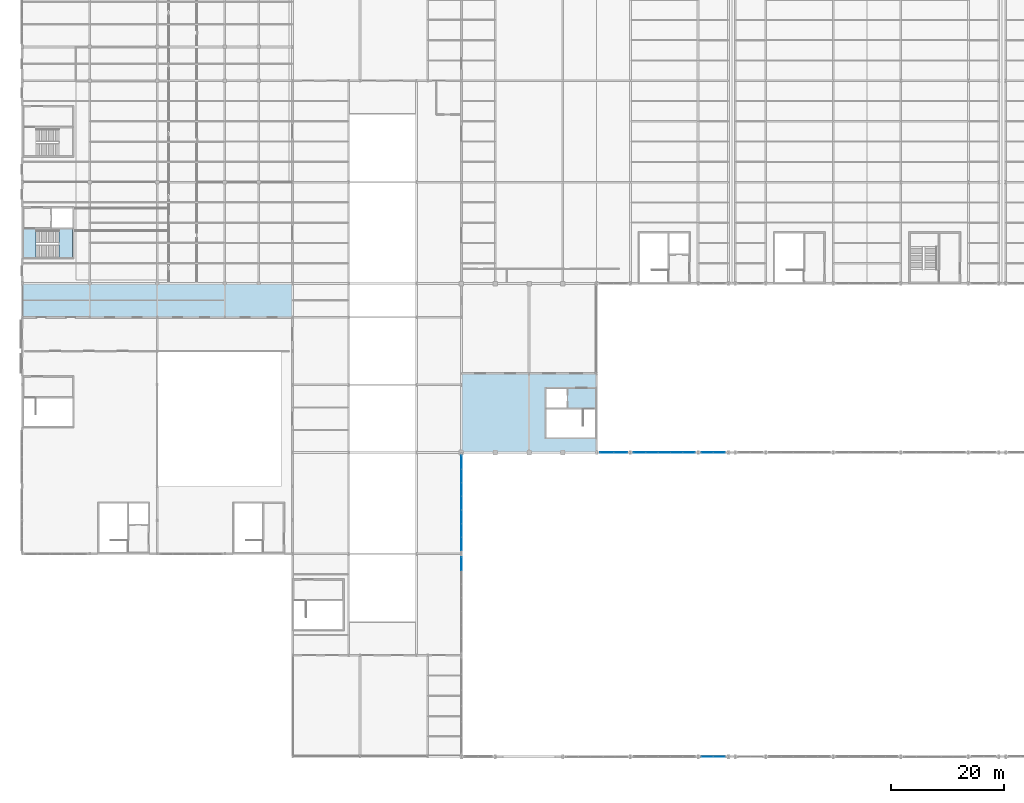
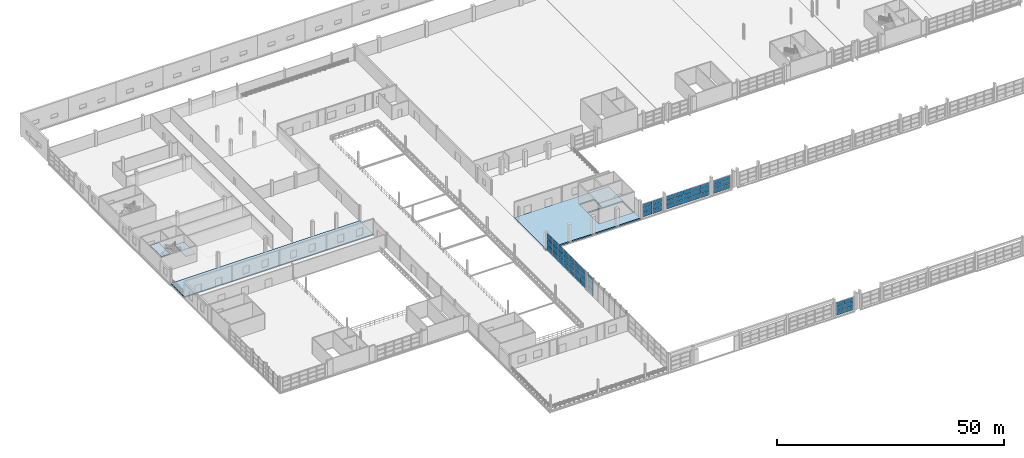
# One storey, part 121 of 147: 57 plates, 4 slabs, 7 elements without a shape of their own.
"""IFC4 building model written with IfcOpenShell, lengths in metres."""

from ifc_helpers import new_model, si_unit, direction, frame, origin, origin_2d, place, context, subcontext, project, spatial, polyline, rectangle, outline, extrude, material, layer, layer_set, type_object, element, aggregate, save


model = new_model("IFC4")

# Units and contexts
model_context = context("Model", 3, precision=1e-05, world=origin(), true_north=direction((0.0, 1.0)))
body_context = subcontext(model_context, "Body", "Model", "MODEL_VIEW")
ifc_project = project(units=[si_unit("LENGTHUNIT", "METRE"), si_unit("AREAUNIT", "SQUARE_METRE"), si_unit("VOLUMEUNIT", "CUBIC_METRE"), si_unit("PLANEANGLEUNIT", "RADIAN"), si_unit("MASSUNIT", "GRAM", prefix="KILO")], contexts=[model_context])

# Site, building, storey
site_placement = place(None, origin())
site = spatial("IfcSite", under=ifc_project, at=site_placement, CompositionType="ELEMENT")
building_placement = place(site_placement, origin())
building = spatial("IfcBuilding", under=site, at=building_placement, Name="Zilviju Railside Exhibition Hall", CompositionType="ELEMENT")
storey_placement = place(building_placement, frame((0.0, 0.0, 8.39990234375)))
storey = spatial("IfcBuildingStorey", under=building, at=storey_placement, Name="L03", CompositionType="ELEMENT", Elevation=8.39990234375)

# Curtain wall, plates
ifc_material_1 = material(Name="Thermally broken aluminium-steel triple-glazed curtain wall", Category="steel")
ifc_layer_1 = layer(ifc_material_1, 0.179931640625)
ifc_layer_set_1 = layer_set([ifc_layer_1], Name="Thermally broken aluminium-steel triple-glazed curtain wall")
curtain_wall_type_1 = type_object("IfcCurtainWallType", Name="CW-BAY-05", PredefinedType="USERDEFINED", material=ifc_layer_set_1)
curtain_wall_1_placement = place(storey_placement, origin())
curtain_wall_1 = element("IfcCurtainWall", 1, at=curtain_wall_1_placement, inside=storey, type_object=curtain_wall_type_1, Name="South Hall Garden Court Curtain Wall L03 (108..120)", ObjectType="GLAZED CURTAIN WALL", PredefinedType="USERDEFINED")
ifc_material_2 = material(Name="Laminated acoustic double-glazed porch unit", Category="glass")
ifc_layer_2 = layer(ifc_material_2, 0.031982421875)
ifc_layer_set_2 = layer_set([ifc_layer_2], Name="Laminated acoustic double-glazed porch unit")
plate_type_1 = type_object("IfcPlateType", Name="CWP-IGU-32", PredefinedType="CURTAIN_PANEL", material=ifc_layer_set_2)
plate_1_placement = place(storey_placement, frame((109.655029296875, 54.0, 0.06005859375), z_axis=(0.0, 0.0, 1.0), x_axis=(1.0, 0.0, 0.0)))
plate_1 = element("IfcPlate", 2, at=plate_1_placement, type_object=plate_type_1, Name="CW-05 panel 1.1", PredefinedType="CURTAIN_PANEL", context=body_context, shape_type="SweptSolid", body=[
    extrude(rectangle(XDim=2.090087890625, YDim=0.031982421875, at=origin_2d()), origin(), (0.0, 0.0, 1.0), 1.096923828125),
])
plate_2_placement = place(storey_placement, frame((109.655029296875, 54.0, 1.217041015625), z_axis=(0.0, 0.0, 1.0), x_axis=(1.0, 0.0, 0.0)))
plate_2 = element("IfcPlate", 3, at=plate_2_placement, type_object=plate_type_1, Name="CW-05 panel 1.2", PredefinedType="CURTAIN_PANEL", context=body_context, shape_type="SweptSolid", body=[
    extrude(rectangle(XDim=2.090087890625, YDim=0.031982421875, at=origin_2d()), origin(), (0.0, 0.0, 1.0), 1.1259765625),
])
plate_3_placement = place(storey_placement, frame((109.655029296875, 54.0, 2.4033203125), z_axis=(0.0, 0.0, 1.0), x_axis=(1.0, 0.0, 0.0)))
plate_3 = element("IfcPlate", 4, at=plate_3_placement, type_object=plate_type_1, Name="CW-05 panel 1.3", PredefinedType="CURTAIN_PANEL", context=body_context, shape_type="SweptSolid", body=[
    extrude(rectangle(XDim=2.090087890625, YDim=0.031982421875, at=origin_2d()), origin(), (0.0, 0.0, 1.0), 1.096923828125),
])
plate_4_placement = place(storey_placement, frame((111.820068359375, 54.0, 0.06005859375), z_axis=(0.0, 0.0, 1.0), x_axis=(1.0, 0.0, 0.0)))
plate_4 = element("IfcPlate", 5, at=plate_4_placement, type_object=plate_type_1, Name="CW-05 panel 2.1", PredefinedType="CURTAIN_PANEL", context=body_context, shape_type="SweptSolid", body=[
    extrude(rectangle(XDim=2.1201171875, YDim=0.031982421875, at=origin_2d()), origin(), (0.0, 0.0, 1.0), 1.096923828125),
])
plate_5_placement = place(storey_placement, frame((111.820068359375, 54.0, 1.217041015625), z_axis=(0.0, 0.0, 1.0), x_axis=(1.0, 0.0, 0.0)))
plate_5 = element("IfcPlate", 6, at=plate_5_placement, type_object=plate_type_1, Name="CW-05 panel 2.2", PredefinedType="CURTAIN_PANEL", context=body_context, shape_type="SweptSolid", body=[
    extrude(rectangle(XDim=2.1201171875, YDim=0.031982421875, at=origin_2d()), origin(), (0.0, 0.0, 1.0), 1.1259765625),
])
plate_6_placement = place(storey_placement, frame((111.820068359375, 54.0, 2.4033203125), z_axis=(0.0, 0.0, 1.0), x_axis=(1.0, 0.0, 0.0)))
plate_6 = element("IfcPlate", 7, at=plate_6_placement, type_object=plate_type_1, Name="CW-05 panel 2.3", PredefinedType="CURTAIN_PANEL", context=body_context, shape_type="SweptSolid", body=[
    extrude(rectangle(XDim=2.1201171875, YDim=0.031982421875, at=origin_2d()), origin(), (0.0, 0.0, 1.0), 1.096923828125),
])
plate_7_placement = place(storey_placement, frame((114.0, 54.0, 0.06005859375), z_axis=(0.0, 0.0, 1.0), x_axis=(1.0, 0.0, 0.0)))
plate_7 = element("IfcPlate", 8, at=plate_7_placement, type_object=plate_type_1, Name="CW-05 panel 3.1", PredefinedType="CURTAIN_PANEL", context=body_context, shape_type="SweptSolid", body=[
    extrude(rectangle(XDim=2.1201171875, YDim=0.031982421875, at=origin_2d()), origin(), (0.0, 0.0, 1.0), 1.096923828125),
])
plate_8_placement = place(storey_placement, frame((114.0, 54.0, 1.217041015625), z_axis=(0.0, 0.0, 1.0), x_axis=(1.0, 0.0, 0.0)))
plate_8 = element("IfcPlate", 9, at=plate_8_placement, type_object=plate_type_1, Name="CW-05 panel 3.2", PredefinedType="CURTAIN_PANEL", context=body_context, shape_type="SweptSolid", body=[
    extrude(rectangle(XDim=2.1201171875, YDim=0.031982421875, at=origin_2d()), origin(), (0.0, 0.0, 1.0), 1.1259765625),
])
plate_9_placement = place(storey_placement, frame((114.0, 54.0, 2.4033203125), z_axis=(0.0, 0.0, 1.0), x_axis=(1.0, 0.0, 0.0)))
plate_9 = element("IfcPlate", 10, at=plate_9_placement, type_object=plate_type_1, Name="CW-05 panel 3.3", PredefinedType="CURTAIN_PANEL", context=body_context, shape_type="SweptSolid", body=[
    extrude(rectangle(XDim=2.1201171875, YDim=0.031982421875, at=origin_2d()), origin(), (0.0, 0.0, 1.0), 1.096923828125),
])
plate_10_placement = place(storey_placement, frame((116.179931640625, 54.0, 0.06005859375), z_axis=(0.0, 0.0, 1.0), x_axis=(1.0, 0.0, 0.0)))
plate_10 = element("IfcPlate", 11, at=plate_10_placement, type_object=plate_type_1, Name="CW-05 panel 4.1", PredefinedType="CURTAIN_PANEL", context=body_context, shape_type="SweptSolid", body=[
    extrude(rectangle(XDim=2.1201171875, YDim=0.031982421875, at=origin_2d()), origin(), (0.0, 0.0, 1.0), 1.096923828125),
])
plate_11_placement = place(storey_placement, frame((116.179931640625, 54.0, 1.217041015625), z_axis=(0.0, 0.0, 1.0), x_axis=(1.0, 0.0, 0.0)))
plate_11 = element("IfcPlate", 12, at=plate_11_placement, type_object=plate_type_1, Name="CW-05 panel 4.2", PredefinedType="CURTAIN_PANEL", context=body_context, shape_type="SweptSolid", body=[
    extrude(rectangle(XDim=2.1201171875, YDim=0.031982421875, at=origin_2d()), origin(), (0.0, 0.0, 1.0), 1.1259765625),
])
plate_12_placement = place(storey_placement, frame((116.179931640625, 54.0, 2.4033203125), z_axis=(0.0, 0.0, 1.0), x_axis=(1.0, 0.0, 0.0)))
plate_12 = element("IfcPlate", 13, at=plate_12_placement, type_object=plate_type_1, Name="CW-05 panel 4.3", PredefinedType="CURTAIN_PANEL", context=body_context, shape_type="SweptSolid", body=[
    extrude(rectangle(XDim=2.1201171875, YDim=0.031982421875, at=origin_2d()), origin(), (0.0, 0.0, 1.0), 1.096923828125),
])
plate_13_placement = place(storey_placement, frame((118.344970703125, 54.0, 0.06005859375), z_axis=(0.0, 0.0, 1.0), x_axis=(1.0, 0.0, 0.0)))
plate_13 = element("IfcPlate", 14, at=plate_13_placement, type_object=plate_type_1, Name="CW-05 panel 5.1", PredefinedType="CURTAIN_PANEL", context=body_context, shape_type="SweptSolid", body=[
    extrude(rectangle(XDim=2.090087890625, YDim=0.031982421875, at=origin_2d()), origin(), (0.0, 0.0, 1.0), 1.096923828125),
])
plate_14_placement = place(storey_placement, frame((118.344970703125, 54.0, 1.217041015625), z_axis=(0.0, 0.0, 1.0), x_axis=(1.0, 0.0, 0.0)))
plate_14 = element("IfcPlate", 15, at=plate_14_placement, type_object=plate_type_1, Name="CW-05 panel 5.2", PredefinedType="CURTAIN_PANEL", context=body_context, shape_type="SweptSolid", body=[
    extrude(rectangle(XDim=2.090087890625, YDim=0.031982421875, at=origin_2d()), origin(), (0.0, 0.0, 1.0), 1.1259765625),
])
plate_15_placement = place(storey_placement, frame((118.344970703125, 54.0, 2.4033203125), z_axis=(0.0, 0.0, 1.0), x_axis=(1.0, 0.0, 0.0)))
plate_15 = element("IfcPlate", 16, at=plate_15_placement, type_object=plate_type_1, Name="CW-05 panel 5.3", PredefinedType="CURTAIN_PANEL", context=body_context, shape_type="SweptSolid", body=[
    extrude(rectangle(XDim=2.090087890625, YDim=0.031982421875, at=origin_2d()), origin(), (0.0, 0.0, 1.0), 1.096923828125),
])
aggregate(curtain_wall_1, [plate_1, plate_2, plate_3, plate_4, plate_5, plate_6, plate_7, plate_8, plate_9, plate_10, plate_11, plate_12, plate_13, plate_14, plate_15])

ifc_layer_3 = layer(ifc_material_1, 0.179931640625)
ifc_layer_set_3 = layer_set([ifc_layer_3], Name="Thermally broken aluminium-steel triple-glazed curtain wall")
curtain_wall_type_2 = type_object("IfcCurtainWallType", Name="CW-BAY-04", PredefinedType="USERDEFINED", material=ifc_layer_set_3)
curtain_wall_2_placement = place(storey_placement, origin())
curtain_wall_2 = element("IfcCurtainWall", 17, at=curtain_wall_2_placement, inside=storey, type_object=curtain_wall_type_2, Name="South Hall Garden Court Curtain Wall L03 (102..108)", ObjectType="GLAZED CURTAIN WALL", PredefinedType="USERDEFINED")
ifc_material_3 = material(Name="Triple-glazed solar-control glass unit", Category="glass")
ifc_layer_4 = layer(ifc_material_3, 0.0380859375)
ifc_layer_set_4 = layer_set([ifc_layer_4], Name="Triple-glazed solar-control glass unit")
plate_type_2 = type_object("IfcPlateType", Name="CWP-IGU-38", PredefinedType="CURTAIN_PANEL", material=ifc_layer_set_4)
plate_16_placement = place(storey_placement, frame((103.791259765625, 54.0, 0.06494140625), z_axis=(0.0, 0.0, 1.0), x_axis=(1.0, 0.0, 0.0)))
plate_16 = element("IfcPlate", 18, at=plate_16_placement, type_object=plate_type_2, Name="CW-04 panel 1.1", PredefinedType="CURTAIN_PANEL", context=body_context, shape_type="SweptSolid", body=[
    extrude(rectangle(XDim=2.3525390625, YDim=0.0380859375, at=origin_2d()), origin(), (0.0, 0.0, 1.0), 1.089599609375),
])
plate_17_placement = place(storey_placement, frame((103.791259765625, 54.0, 1.219482421875), z_axis=(0.0, 0.0, 1.0), x_axis=(1.0, 0.0, 0.0)))
plate_17 = element("IfcPlate", 19, at=plate_17_placement, type_object=plate_type_2, Name="CW-04 panel 1.2", PredefinedType="CURTAIN_PANEL", context=body_context, shape_type="SweptSolid", body=[
    extrude(rectangle(XDim=2.3525390625, YDim=0.0380859375, at=origin_2d()), origin(), (0.0, 0.0, 1.0), 1.12109375),
])
plate_18_placement = place(storey_placement, frame((103.791259765625, 54.0, 2.40576171875), z_axis=(0.0, 0.0, 1.0), x_axis=(1.0, 0.0, 0.0)))
plate_18 = element("IfcPlate", 20, at=plate_18_placement, type_object=plate_type_2, Name="CW-04 panel 1.3", PredefinedType="CURTAIN_PANEL", context=body_context, shape_type="SweptSolid", body=[
    extrude(rectangle(XDim=2.3525390625, YDim=0.0380859375, at=origin_2d()), origin(), (0.0, 0.0, 1.0), 1.089599609375),
])
plate_19_placement = place(storey_placement, frame((106.208740234375, 54.0, 0.06494140625), z_axis=(0.0, 0.0, 1.0), x_axis=(1.0, 0.0, 0.0)))
plate_19 = element("IfcPlate", 21, at=plate_19_placement, type_object=plate_type_2, Name="CW-04 panel 2.1", PredefinedType="CURTAIN_PANEL", context=body_context, shape_type="SweptSolid", body=[
    extrude(rectangle(XDim=2.3525390625, YDim=0.0380859375, at=origin_2d()), origin(), (0.0, 0.0, 1.0), 1.089599609375),
])
plate_20_placement = place(storey_placement, frame((106.208740234375, 54.0, 1.219482421875), z_axis=(0.0, 0.0, 1.0), x_axis=(1.0, 0.0, 0.0)))
plate_20 = element("IfcPlate", 22, at=plate_20_placement, type_object=plate_type_2, Name="CW-04 panel 2.2", PredefinedType="CURTAIN_PANEL", context=body_context, shape_type="SweptSolid", body=[
    extrude(rectangle(XDim=2.3525390625, YDim=0.0380859375, at=origin_2d()), origin(), (0.0, 0.0, 1.0), 1.12109375),
])
plate_21_placement = place(storey_placement, frame((106.208740234375, 54.0, 2.40576171875), z_axis=(0.0, 0.0, 1.0), x_axis=(1.0, 0.0, 0.0)))
plate_21 = element("IfcPlate", 23, at=plate_21_placement, type_object=plate_type_2, Name="CW-04 panel 2.3", PredefinedType="CURTAIN_PANEL", context=body_context, shape_type="SweptSolid", body=[
    extrude(rectangle(XDim=2.3525390625, YDim=0.0380859375, at=origin_2d()), origin(), (0.0, 0.0, 1.0), 1.089599609375),
])
aggregate(curtain_wall_2, [plate_16, plate_17, plate_18, plate_19, plate_20, plate_21])

ifc_layer_5 = layer(ifc_material_1, 0.179931640625)
ifc_layer_set_5 = layer_set([ifc_layer_5], Name="Thermally broken aluminium-steel triple-glazed curtain wall")
curtain_wall_type_3 = type_object("IfcCurtainWallType", Name="CW-BAY-20", PredefinedType="USERDEFINED", material=ifc_layer_set_5)
curtain_wall_3_placement = place(storey_placement, origin())
curtain_wall_3 = element("IfcCurtainWall", 24, at=curtain_wall_3_placement, inside=storey, type_object=curtain_wall_type_3, Name="South Hall West Upper Glazed Gable (18..36)", ObjectType="GLAZED CURTAIN WALL", PredefinedType="USERDEFINED")
ifc_material_4 = material(Name="Triple-glazed low-E argon insulating glass unit", Category="glass")
ifc_layer_6 = layer(ifc_material_4, 0.0439453125)
ifc_layer_set_6 = layer_set([ifc_layer_6], Name="Triple-glazed low-E argon insulating glass unit")
plate_type_3 = type_object("IfcPlateType", Name="CWP-IGU-44", PredefinedType="CURTAIN_PANEL", material=ifc_layer_set_6)
plate_22_placement = place(storey_placement, frame((78.0, 34.22900390625, 0.05517578125), z_axis=(0.0, 0.0, 1.0), x_axis=(0.0, 1.0, 0.0)))
plate_22 = element("IfcPlate", 25, at=plate_22_placement, type_object=plate_type_3, Name="CW-20 panel 7.1", PredefinedType="CURTAIN_PANEL", context=body_context, shape_type="SweptSolid", body=[
    extrude(rectangle(XDim=2.331787109375, YDim=0.0439453125, at=origin_2d()), origin(), (0.0, 0.0, 1.0), 1.517578125),
])
plate_23_placement = place(storey_placement, frame((78.0, 34.22900390625, 1.627685546875), z_axis=(0.0, 0.0, 1.0), x_axis=(0.0, 1.0, 0.0)))
plate_23 = element("IfcPlate", 26, at=plate_23_placement, type_object=plate_type_3, Name="CW-20 panel 7.2", PredefinedType="CURTAIN_PANEL", context=body_context, shape_type="SweptSolid", body=[
    extrude(rectangle(XDim=2.331787109375, YDim=0.0439453125, at=origin_2d()), origin(), (0.0, 0.0, 1.0), 1.544921875),
])
plate_24_placement = place(storey_placement, frame((78.0, 34.22900390625, 3.2275390625), z_axis=(0.0, 0.0, 1.0), x_axis=(0.0, 1.0, 0.0)))
plate_24 = element("IfcPlate", 27, at=plate_24_placement, type_object=plate_type_3, Name="CW-20 panel 7.3", PredefinedType="CURTAIN_PANEL", context=body_context, shape_type="SweptSolid", body=[
    extrude(rectangle(XDim=2.331787109375, YDim=0.0439453125, at=origin_2d()), origin(), (0.0, 0.0, 1.0), 1.517578125),
])
aggregate(curtain_wall_3, [plate_22, plate_23, plate_24])

ifc_layer_7 = layer(ifc_material_1, 0.179931640625)
ifc_layer_set_7 = layer_set([ifc_layer_7], Name="Thermally broken aluminium-steel triple-glazed curtain wall")
curtain_wall_type_4 = type_object("IfcCurtainWallType", Name="CW-BAY-01", PredefinedType="USERDEFINED", material=ifc_layer_set_7)
curtain_wall_4_placement = place(storey_placement, origin())
curtain_wall_4 = element("IfcCurtainWall", 28, at=curtain_wall_4_placement, inside=storey, type_object=curtain_wall_type_4, Name="South Hall West Upper Glazed Gable (36..54)", ObjectType="GLAZED CURTAIN WALL", PredefinedType="USERDEFINED")
plate_25_placement = place(storey_placement, frame((78.0, 37.774658203125, 0.070068359375), z_axis=(0.0, 0.0, 1.0), x_axis=(0.0, 1.0, 0.0)))
plate_25 = element("IfcPlate", 29, at=plate_25_placement, type_object=plate_type_3, Name="CW-01 panel 1.1", PredefinedType="CURTAIN_PANEL", context=body_context, shape_type="SweptSolid", body=[
    extrude(rectangle(XDim=2.309326171875, YDim=0.0439453125, at=origin_2d()), origin(), (0.0, 0.0, 1.0), 1.4951171875),
])
plate_26_placement = place(storey_placement, frame((78.0, 37.774658203125, 1.63525390625), z_axis=(0.0, 0.0, 1.0), x_axis=(0.0, 1.0, 0.0)))
plate_26 = element("IfcPlate", 30, at=plate_26_placement, type_object=plate_type_3, Name="CW-01 panel 1.2", PredefinedType="CURTAIN_PANEL", context=body_context, shape_type="SweptSolid", body=[
    extrude(rectangle(XDim=2.309326171875, YDim=0.0439453125, at=origin_2d()), origin(), (0.0, 0.0, 1.0), 1.530029296875),
])
plate_27_placement = place(storey_placement, frame((78.0, 37.774658203125, 3.235107421875), z_axis=(0.0, 0.0, 1.0), x_axis=(0.0, 1.0, 0.0)))
plate_27 = element("IfcPlate", 31, at=plate_27_placement, type_object=plate_type_3, Name="CW-01 panel 1.3", PredefinedType="CURTAIN_PANEL", context=body_context, shape_type="SweptSolid", body=[
    extrude(rectangle(XDim=2.309326171875, YDim=0.0439453125, at=origin_2d()), origin(), (0.0, 0.0, 1.0), 1.4951171875),
])
plate_28_placement = place(storey_placement, frame((78.0, 40.17138671875, 0.070068359375), z_axis=(0.0, 0.0, 1.0), x_axis=(0.0, 1.0, 0.0)))
plate_28 = element("IfcPlate", 32, at=plate_28_placement, type_object=plate_type_3, Name="CW-01 panel 2.1", PredefinedType="CURTAIN_PANEL", context=body_context, shape_type="SweptSolid", body=[
    extrude(rectangle(XDim=2.34423828125, YDim=0.0439453125, at=origin_2d()), origin(), (0.0, 0.0, 1.0), 1.4951171875),
])
plate_29_placement = place(storey_placement, frame((78.0, 40.17138671875, 1.63525390625), z_axis=(0.0, 0.0, 1.0), x_axis=(0.0, 1.0, 0.0)))
plate_29 = element("IfcPlate", 33, at=plate_29_placement, type_object=plate_type_3, Name="CW-01 panel 2.2", PredefinedType="CURTAIN_PANEL", context=body_context, shape_type="SweptSolid", body=[
    extrude(rectangle(XDim=2.34423828125, YDim=0.0439453125, at=origin_2d()), origin(), (0.0, 0.0, 1.0), 1.530029296875),
])
plate_30_placement = place(storey_placement, frame((78.0, 40.17138671875, 3.235107421875), z_axis=(0.0, 0.0, 1.0), x_axis=(0.0, 1.0, 0.0)))
plate_30 = element("IfcPlate", 34, at=plate_30_placement, type_object=plate_type_3, Name="CW-01 panel 2.3", PredefinedType="CURTAIN_PANEL", context=body_context, shape_type="SweptSolid", body=[
    extrude(rectangle(XDim=2.34423828125, YDim=0.0439453125, at=origin_2d()), origin(), (0.0, 0.0, 1.0), 1.4951171875),
])
plate_31_placement = place(storey_placement, frame((78.0, 42.585693359375, 0.070068359375), z_axis=(0.0, 0.0, 1.0), x_axis=(0.0, 1.0, 0.0)))
plate_31 = element("IfcPlate", 35, at=plate_31_placement, type_object=plate_type_3, Name="CW-01 panel 3.1", PredefinedType="CURTAIN_PANEL", context=body_context, shape_type="SweptSolid", body=[
    extrude(rectangle(XDim=2.34423828125, YDim=0.0439453125, at=origin_2d()), origin(), (0.0, 0.0, 1.0), 1.4951171875),
])
plate_32_placement = place(storey_placement, frame((78.0, 42.585693359375, 1.63525390625), z_axis=(0.0, 0.0, 1.0), x_axis=(0.0, 1.0, 0.0)))
plate_32 = element("IfcPlate", 36, at=plate_32_placement, type_object=plate_type_3, Name="CW-01 panel 3.2", PredefinedType="CURTAIN_PANEL", context=body_context, shape_type="SweptSolid", body=[
    extrude(rectangle(XDim=2.34423828125, YDim=0.0439453125, at=origin_2d()), origin(), (0.0, 0.0, 1.0), 1.530029296875),
])
plate_33_placement = place(storey_placement, frame((78.0, 42.585693359375, 3.235107421875), z_axis=(0.0, 0.0, 1.0), x_axis=(0.0, 1.0, 0.0)))
plate_33 = element("IfcPlate", 37, at=plate_33_placement, type_object=plate_type_3, Name="CW-01 panel 3.3", PredefinedType="CURTAIN_PANEL", context=body_context, shape_type="SweptSolid", body=[
    extrude(rectangle(XDim=2.34423828125, YDim=0.0439453125, at=origin_2d()), origin(), (0.0, 0.0, 1.0), 1.4951171875),
])
plate_34_placement = place(storey_placement, frame((78.0, 45.0, 0.070068359375), z_axis=(0.0, 0.0, 1.0), x_axis=(0.0, 1.0, 0.0)))
plate_34 = element("IfcPlate", 38, at=plate_34_placement, type_object=plate_type_3, Name="CW-01 panel 4.1", PredefinedType="CURTAIN_PANEL", context=body_context, shape_type="SweptSolid", body=[
    extrude(rectangle(XDim=2.34423828125, YDim=0.0439453125, at=origin_2d()), origin(), (0.0, 0.0, 1.0), 1.4951171875),
])
plate_35_placement = place(storey_placement, frame((78.0, 45.0, 1.63525390625), z_axis=(0.0, 0.0, 1.0), x_axis=(0.0, 1.0, 0.0)))
plate_35 = element("IfcPlate", 39, at=plate_35_placement, type_object=plate_type_3, Name="CW-01 panel 4.2", PredefinedType="CURTAIN_PANEL", context=body_context, shape_type="SweptSolid", body=[
    extrude(rectangle(XDim=2.34423828125, YDim=0.0439453125, at=origin_2d()), origin(), (0.0, 0.0, 1.0), 1.530029296875),
])
plate_36_placement = place(storey_placement, frame((78.0, 45.0, 3.235107421875), z_axis=(0.0, 0.0, 1.0), x_axis=(0.0, 1.0, 0.0)))
plate_36 = element("IfcPlate", 40, at=plate_36_placement, type_object=plate_type_3, Name="CW-01 panel 4.3", PredefinedType="CURTAIN_PANEL", context=body_context, shape_type="SweptSolid", body=[
    extrude(rectangle(XDim=2.34423828125, YDim=0.0439453125, at=origin_2d()), origin(), (0.0, 0.0, 1.0), 1.4951171875),
])
plate_37_placement = place(storey_placement, frame((78.0, 47.414306640625, 0.070068359375), z_axis=(0.0, 0.0, 1.0), x_axis=(0.0, 1.0, 0.0)))
plate_37 = element("IfcPlate", 41, at=plate_37_placement, type_object=plate_type_3, Name="CW-01 panel 5.1", PredefinedType="CURTAIN_PANEL", context=body_context, shape_type="SweptSolid", body=[
    extrude(rectangle(XDim=2.34423828125, YDim=0.0439453125, at=origin_2d()), origin(), (0.0, 0.0, 1.0), 1.4951171875),
])
plate_38_placement = place(storey_placement, frame((78.0, 47.414306640625, 1.63525390625), z_axis=(0.0, 0.0, 1.0), x_axis=(0.0, 1.0, 0.0)))
plate_38 = element("IfcPlate", 42, at=plate_38_placement, type_object=plate_type_3, Name="CW-01 panel 5.2", PredefinedType="CURTAIN_PANEL", context=body_context, shape_type="SweptSolid", body=[
    extrude(rectangle(XDim=2.34423828125, YDim=0.0439453125, at=origin_2d()), origin(), (0.0, 0.0, 1.0), 1.530029296875),
])
plate_39_placement = place(storey_placement, frame((78.0, 47.414306640625, 3.235107421875), z_axis=(0.0, 0.0, 1.0), x_axis=(0.0, 1.0, 0.0)))
plate_39 = element("IfcPlate", 43, at=plate_39_placement, type_object=plate_type_3, Name="CW-01 panel 5.3", PredefinedType="CURTAIN_PANEL", context=body_context, shape_type="SweptSolid", body=[
    extrude(rectangle(XDim=2.34423828125, YDim=0.0439453125, at=origin_2d()), origin(), (0.0, 0.0, 1.0), 1.4951171875),
])
plate_40_placement = place(storey_placement, frame((78.0, 49.82861328125, 0.070068359375), z_axis=(0.0, 0.0, 1.0), x_axis=(0.0, 1.0, 0.0)))
plate_40 = element("IfcPlate", 44, at=plate_40_placement, type_object=plate_type_3, Name="CW-01 panel 6.1", PredefinedType="CURTAIN_PANEL", context=body_context, shape_type="SweptSolid", body=[
    extrude(rectangle(XDim=2.34423828125, YDim=0.0439453125, at=origin_2d()), origin(), (0.0, 0.0, 1.0), 1.4951171875),
])
plate_41_placement = place(storey_placement, frame((78.0, 49.82861328125, 1.63525390625), z_axis=(0.0, 0.0, 1.0), x_axis=(0.0, 1.0, 0.0)))
plate_41 = element("IfcPlate", 45, at=plate_41_placement, type_object=plate_type_3, Name="CW-01 panel 6.2", PredefinedType="CURTAIN_PANEL", context=body_context, shape_type="SweptSolid", body=[
    extrude(rectangle(XDim=2.34423828125, YDim=0.0439453125, at=origin_2d()), origin(), (0.0, 0.0, 1.0), 1.530029296875),
])
plate_42_placement = place(storey_placement, frame((78.0, 49.82861328125, 3.235107421875), z_axis=(0.0, 0.0, 1.0), x_axis=(0.0, 1.0, 0.0)))
plate_42 = element("IfcPlate", 46, at=plate_42_placement, type_object=plate_type_3, Name="CW-01 panel 6.3", PredefinedType="CURTAIN_PANEL", context=body_context, shape_type="SweptSolid", body=[
    extrude(rectangle(XDim=2.34423828125, YDim=0.0439453125, at=origin_2d()), origin(), (0.0, 0.0, 1.0), 1.4951171875),
])
plate_43_placement = place(storey_placement, frame((78.0, 52.225341796875, 0.070068359375), z_axis=(0.0, 0.0, 1.0), x_axis=(0.0, 1.0, 0.0)))
plate_43 = element("IfcPlate", 47, at=plate_43_placement, type_object=plate_type_3, Name="CW-01 panel 7.1", PredefinedType="CURTAIN_PANEL", context=body_context, shape_type="SweptSolid", body=[
    extrude(rectangle(XDim=2.309326171875, YDim=0.0439453125, at=origin_2d()), origin(), (0.0, 0.0, 1.0), 1.4951171875),
])
plate_44_placement = place(storey_placement, frame((78.0, 52.225341796875, 1.63525390625), z_axis=(0.0, 0.0, 1.0), x_axis=(0.0, 1.0, 0.0)))
plate_44 = element("IfcPlate", 48, at=plate_44_placement, type_object=plate_type_3, Name="CW-01 panel 7.2", PredefinedType="CURTAIN_PANEL", context=body_context, shape_type="SweptSolid", body=[
    extrude(rectangle(XDim=2.309326171875, YDim=0.0439453125, at=origin_2d()), origin(), (0.0, 0.0, 1.0), 1.530029296875),
])
plate_45_placement = place(storey_placement, frame((78.0, 52.225341796875, 3.235107421875), z_axis=(0.0, 0.0, 1.0), x_axis=(0.0, 1.0, 0.0)))
plate_45 = element("IfcPlate", 49, at=plate_45_placement, type_object=plate_type_3, Name="CW-01 panel 7.3", PredefinedType="CURTAIN_PANEL", context=body_context, shape_type="SweptSolid", body=[
    extrude(rectangle(XDim=2.309326171875, YDim=0.0439453125, at=origin_2d()), origin(), (0.0, 0.0, 1.0), 1.4951171875),
])
aggregate(curtain_wall_4, [plate_25, plate_26, plate_27, plate_28, plate_29, plate_30, plate_31, plate_32, plate_33, plate_34, plate_35, plate_36, plate_37, plate_38, plate_39, plate_40, plate_41, plate_42, plate_43, plate_44, plate_45])

ifc_layer_8 = layer(ifc_material_1, 0.179931640625)
ifc_layer_set_8 = layer_set([ifc_layer_8], Name="Thermally broken aluminium-steel triple-glazed curtain wall")
curtain_wall_type_5 = type_object("IfcCurtainWallType", Name="CW-BAY-06", PredefinedType="USERDEFINED", material=ifc_layer_set_8)
curtain_wall_5_placement = place(storey_placement, origin())
curtain_wall_5 = element("IfcCurtainWall", 50, at=curtain_wall_5_placement, inside=storey, type_object=curtain_wall_type_5, Name="South Hall Garden Court Curtain Wall L03 (120..125)", ObjectType="GLAZED CURTAIN WALL", PredefinedType="USERDEFINED")
ifc_material_5 = material(Name="Insulated cobalt-blue enamelled spandrel glass panel", Category="glass")
ifc_layer_9 = layer(ifc_material_5, 0.052001953125)
ifc_layer_set_9 = layer_set([ifc_layer_9], Name="Insulated cobalt-blue enamelled spandrel glass panel")
plate_type_4 = type_object("IfcPlateType", Name="CWP-SPD-52", PredefinedType="CURTAIN_PANEL", material=ifc_layer_set_9)
plate_46_placement = place(storey_placement, frame((121.64501953125, 54.0, 0.080078125), z_axis=(0.0, 0.0, 1.0), x_axis=(1.0, 0.0, 0.0)))
plate_46 = element("IfcPlate", 51, at=plate_46_placement, type_object=plate_type_4, Name="CW-06 panel 1.1", PredefinedType="CURTAIN_PANEL", context=body_context, shape_type="SweptSolid", body=[
    extrude(rectangle(XDim=2.030029296875, YDim=0.052001953125, at=origin_2d()), origin(), (0.0, 0.0, 1.0), 1.06689453125),
])
plate_47_placement = place(storey_placement, frame((121.64501953125, 54.0, 1.22705078125), z_axis=(0.0, 0.0, 1.0), x_axis=(1.0, 0.0, 0.0)))
plate_47 = element("IfcPlate", 52, at=plate_47_placement, type_object=plate_type_4, Name="CW-06 panel 1.2", PredefinedType="CURTAIN_PANEL", context=body_context, shape_type="SweptSolid", body=[
    extrude(rectangle(XDim=2.030029296875, YDim=0.052001953125, at=origin_2d()), origin(), (0.0, 0.0, 1.0), 1.10595703125),
])
plate_48_placement = place(storey_placement, frame((121.64501953125, 54.0, 2.4130859375), z_axis=(0.0, 0.0, 1.0), x_axis=(1.0, 0.0, 0.0)))
plate_48 = element("IfcPlate", 53, at=plate_48_placement, type_object=plate_type_4, Name="CW-06 panel 1.3", PredefinedType="CURTAIN_PANEL", context=body_context, shape_type="SweptSolid", body=[
    extrude(rectangle(XDim=2.030029296875, YDim=0.052001953125, at=origin_2d()), origin(), (0.0, 0.0, 1.0), 1.06689453125),
])
plate_49_placement = place(storey_placement, frame((123.7548828125, 54.0, 0.080078125), z_axis=(0.0, 0.0, 1.0), x_axis=(1.0, 0.0, 0.0)))
plate_49 = element("IfcPlate", 54, at=plate_49_placement, type_object=plate_type_4, Name="CW-06 panel 2.1", PredefinedType="CURTAIN_PANEL", context=body_context, shape_type="SweptSolid", body=[
    extrude(rectangle(XDim=2.030029296875, YDim=0.052001953125, at=origin_2d()), origin(), (0.0, 0.0, 1.0), 1.06689453125),
])
plate_50_placement = place(storey_placement, frame((123.7548828125, 54.0, 1.22705078125), z_axis=(0.0, 0.0, 1.0), x_axis=(1.0, 0.0, 0.0)))
plate_50 = element("IfcPlate", 55, at=plate_50_placement, type_object=plate_type_4, Name="CW-06 panel 2.2", PredefinedType="CURTAIN_PANEL", context=body_context, shape_type="SweptSolid", body=[
    extrude(rectangle(XDim=2.030029296875, YDim=0.052001953125, at=origin_2d()), origin(), (0.0, 0.0, 1.0), 1.10595703125),
])
plate_51_placement = place(storey_placement, frame((123.7548828125, 54.0, 2.4130859375), z_axis=(0.0, 0.0, 1.0), x_axis=(1.0, 0.0, 0.0)))
plate_51 = element("IfcPlate", 56, at=plate_51_placement, type_object=plate_type_4, Name="CW-06 panel 2.3", PredefinedType="CURTAIN_PANEL", context=body_context, shape_type="SweptSolid", body=[
    extrude(rectangle(XDim=2.030029296875, YDim=0.052001953125, at=origin_2d()), origin(), (0.0, 0.0, 1.0), 1.06689453125),
])
aggregate(curtain_wall_5, [plate_46, plate_47, plate_48, plate_49, plate_50, plate_51])

ifc_layer_10 = layer(ifc_material_1, 0.179931640625)
ifc_layer_set_10 = layer_set([ifc_layer_10], Name="Thermally broken aluminium-steel triple-glazed curtain wall")
curtain_wall_type_6 = type_object("IfcCurtainWallType", Name="CW-BAY-15", PredefinedType="USERDEFINED", material=ifc_layer_set_10)
curtain_wall_6_placement = place(storey_placement, origin())
curtain_wall_6 = element("IfcCurtainWall", 57, at=curtain_wall_6_placement, inside=storey, type_object=curtain_wall_type_6, Name="South Hall Facade Curtain Wall L03 (120..125)", ObjectType="GLAZED CURTAIN WALL", PredefinedType="USERDEFINED")
ifc_material_6 = material(Name="Insulated emerald ceramic-frit spandrel panel", Category="glass")
ifc_layer_11 = layer(ifc_material_6, 0.06396484375)
ifc_layer_set_11 = layer_set([ifc_layer_11], Name="Insulated emerald ceramic-frit spandrel panel")
plate_type_5 = type_object("IfcPlateType", Name="CWP-SPD-64", PredefinedType="CURTAIN_PANEL", material=ifc_layer_set_11)
plate_52_placement = place(storey_placement, frame((123.75634765625, 0.0, 0.0751953125), z_axis=(0.0, 0.0, 1.0), x_axis=(-1.0, 0.0, 0.0)))
plate_52 = element("IfcPlate", 58, at=plate_52_placement, type_object=plate_type_5, Name="CW-15 panel 1.1", PredefinedType="CURTAIN_PANEL", context=body_context, shape_type="SweptSolid", body=[
    extrude(rectangle(XDim=2.03759765625, YDim=0.06396484375, at=origin_2d()), origin(), (0.0, 0.0, 1.0), 1.074462890625),
])
plate_53_placement = place(storey_placement, frame((123.75634765625, 0.0, 1.224609375), z_axis=(0.0, 0.0, 1.0), x_axis=(-1.0, 0.0, 0.0)))
plate_53 = element("IfcPlate", 59, at=plate_53_placement, type_object=plate_type_5, Name="CW-15 panel 1.2", PredefinedType="CURTAIN_PANEL", context=body_context, shape_type="SweptSolid", body=[
    extrude(rectangle(XDim=2.03759765625, YDim=0.06396484375, at=origin_2d()), origin(), (0.0, 0.0, 1.0), 1.111083984375),
])
plate_54_placement = place(storey_placement, frame((123.75634765625, 0.0, 2.41064453125), z_axis=(0.0, 0.0, 1.0), x_axis=(-1.0, 0.0, 0.0)))
plate_54 = element("IfcPlate", 60, at=plate_54_placement, type_object=plate_type_5, Name="CW-15 panel 1.3", PredefinedType="CURTAIN_PANEL", context=body_context, shape_type="SweptSolid", body=[
    extrude(rectangle(XDim=2.03759765625, YDim=0.06396484375, at=origin_2d()), origin(), (0.0, 0.0, 1.0), 1.074462890625),
])
plate_55_placement = place(storey_placement, frame((121.643798828125, 0.0, 0.0751953125), z_axis=(0.0, 0.0, 1.0), x_axis=(-1.0, 0.0, 0.0)))
plate_55 = element("IfcPlate", 61, at=plate_55_placement, type_object=plate_type_5, Name="CW-15 panel 2.1", PredefinedType="CURTAIN_PANEL", context=body_context, shape_type="SweptSolid", body=[
    extrude(rectangle(XDim=2.03759765625, YDim=0.06396484375, at=origin_2d()), origin(), (0.0, 0.0, 1.0), 1.074462890625),
])
plate_56_placement = place(storey_placement, frame((121.643798828125, 0.0, 1.224609375), z_axis=(0.0, 0.0, 1.0), x_axis=(-1.0, 0.0, 0.0)))
plate_56 = element("IfcPlate", 62, at=plate_56_placement, type_object=plate_type_5, Name="CW-15 panel 2.2", PredefinedType="CURTAIN_PANEL", context=body_context, shape_type="SweptSolid", body=[
    extrude(rectangle(XDim=2.03759765625, YDim=0.06396484375, at=origin_2d()), origin(), (0.0, 0.0, 1.0), 1.111083984375),
])
plate_57_placement = place(storey_placement, frame((121.643798828125, 0.0, 2.41064453125), z_axis=(0.0, 0.0, 1.0), x_axis=(-1.0, 0.0, 0.0)))
plate_57 = element("IfcPlate", 63, at=plate_57_placement, type_object=plate_type_5, Name="CW-15 panel 2.3", PredefinedType="CURTAIN_PANEL", context=body_context, shape_type="SweptSolid", body=[
    extrude(rectangle(XDim=2.03759765625, YDim=0.06396484375, at=origin_2d()), origin(), (0.0, 0.0, 1.0), 1.074462890625),
])
aggregate(curtain_wall_6, [plate_52, plate_53, plate_54, plate_55, plate_56, plate_57])

# Slab
ifc_material_7 = material(Name="Concrete C35/45", Category="concrete")
ifc_layer_12 = layer(ifc_material_7, 0.35009765625)
ifc_layer_set_12 = layer_set([ifc_layer_12], Name="Concrete C35/45")
slab_type_1 = type_object("IfcSlabType", Name="SL-FLR-350", PredefinedType="FLOOR", material=ifc_layer_set_12)
slab_1_placement = place(storey_placement, frame((0.0, 0.0, -0.349853515625)))
element("IfcSlab", 64, at=slab_1_placement, inside=storey, type_object=slab_type_1, Name="Winter Concourse L03 Court Foyer", PredefinedType="FLOOR", context=body_context, shape_type="SweptSolid", body=[
    extrude(outline(polyline([(78.0, 54.0), (102.0, 54.0), (102.0, 68.0), (78.0, 68.0), (78.0, 54.0)]), holes=[polyline([(93.050048828125, 56.64990234375), (101.75, 56.64990234375), (101.75, 61.64990234375), (93.050048828125, 61.64990234375), (93.050048828125, 56.64990234375)]), polyline([(93.050048828125, 61.89990234375), (96.699951171875, 61.89990234375), (96.699951171875, 65.35009765625), (93.050048828125, 65.35009765625), (93.050048828125, 61.89990234375)])]), origin(), (0.0, 0.0, 1.0), 0.349853515625),
])

# Stair, slabs
stair_type = type_object("IfcStairType", Name="STAIR-ST-C", PredefinedType="HALF_TURN_STAIR", material=ifc_material_7)
stair_placement = place(storey_placement, origin())
stair = element("IfcStair", 65, at=stair_placement, inside=storey, type_object=stair_type, Name="Core C15 Organisers Wing South Exit Stair L03", PredefinedType="HALF_TURN_STAIR")
ifc_layer_13 = layer(ifc_material_7, 0.199951171875)
ifc_layer_set_13 = layer_set([ifc_layer_13], Name="Concrete C35/45")
slab_type_2 = type_object("IfcSlabType", Name="SL-LAND-200", PredefinedType="LANDING", material=ifc_layer_set_13)
slab_2_placement = place(storey_placement, frame((0.0, 0.0, 1.900146484375)))
slab_2 = element("IfcSlab", 66, at=slab_2_placement, type_object=slab_type_2, Name="ST-15 landing 1", PredefinedType="LANDING", context=body_context, shape_type="SweptSolid", body=[
    extrude(outline(polyline([(6.530029296875, 88.64990234375), (6.530029296875, 93.64990234375), (8.949951171875, 93.64990234375), (8.949951171875, 88.64990234375), (6.530029296875, 88.64990234375)])), origin(), (0.0, 0.0, 1.0), 0.199951171875),
])
slab_3_placement = place(storey_placement, frame((0.0, 0.0, 4.0)))
slab_3 = element("IfcSlab", 67, at=slab_3_placement, type_object=slab_type_2, Name="ST-15 landing 2", PredefinedType="LANDING", context=body_context, shape_type="SweptSolid", body=[
    extrude(outline(polyline([(0.25, 88.64990234375), (0.25, 93.64990234375), (2.5, 93.64990234375), (2.5, 88.64990234375), (0.25, 88.64990234375)])), origin(), (0.0, 0.0, 1.0), 0.2001953125),
])
aggregate(stair, [slab_2, slab_3])

# Slab
ifc_layer_14 = layer(ifc_material_7, 0.300048828125)
ifc_layer_set_14 = layer_set([ifc_layer_14], Name="Concrete C35/45")
slab_type_3 = type_object("IfcSlabType", Name="SL-RG-300", PredefinedType="ROOF", material=ifc_layer_set_14)
slab_4_placement = place(storey_placement, frame((0.0, 0.0, -0.2998046875)))
element("IfcSlab", 68, at=slab_4_placement, inside=storey, type_object=slab_type_3, Name="Congress North Skirt Planted Roof Garden", PredefinedType="ROOF", context=body_context, shape_type="SweptSolid", body=[
    extrude(outline(polyline([(0.0, 78.0), (48.0, 78.0), (48.0, 84.0), (0.0, 84.0), (0.0, 78.0)])), origin(), (0.0, 0.0, 1.0), 0.2998046875),
])

save(model, "model.ifc")
